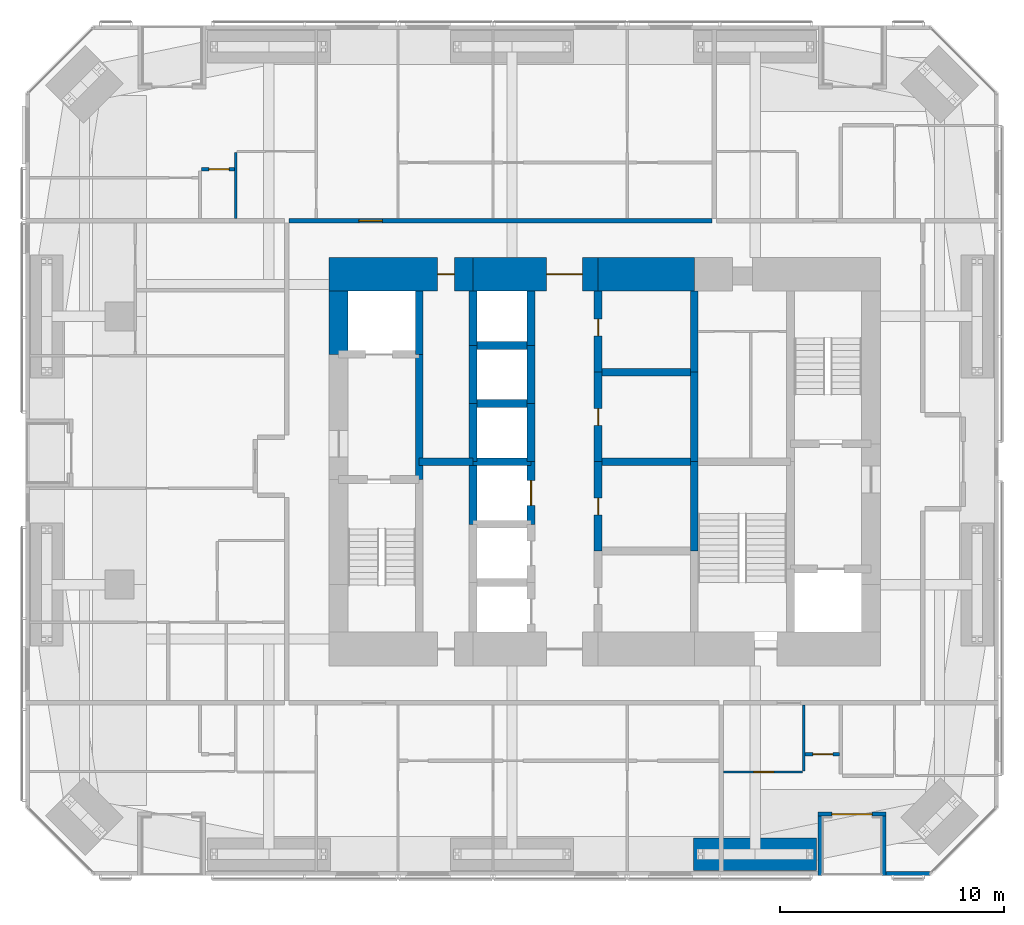
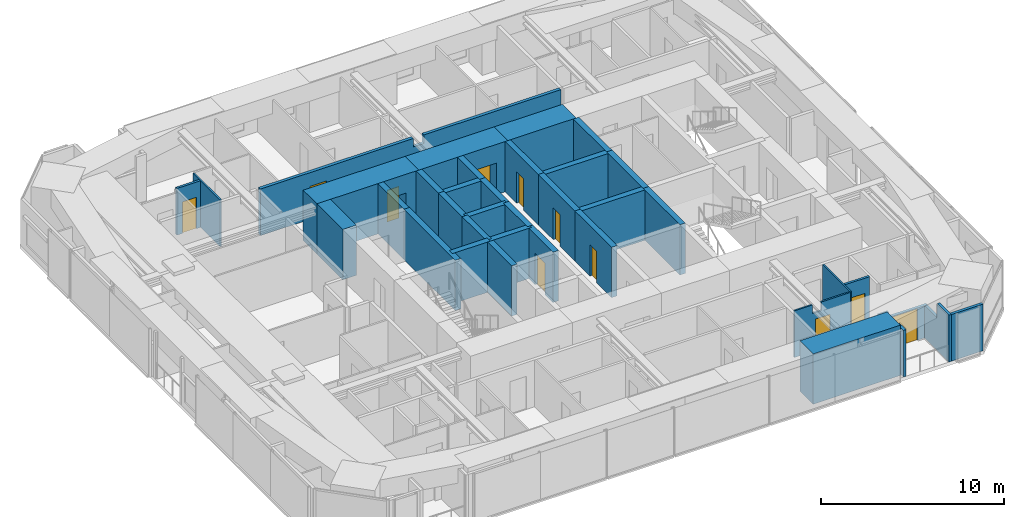
# One storey, part 19 of 23: 38 walls, 11 doors, 11 openings.
"""IFC4 building model written with IfcOpenShell, lengths in metres."""

from ifc_helpers import new_model, si_unit, direction, frame, frame_2d, origin, place, context, subcontext, project, spatial, polyline, rectangle, outline, extrude, material, layer, layer_set, constituent, constituent_set, type_object, element, fill, save


model = new_model("IFC4")

# Units and contexts
model_context = context("Model", 3, precision=1e-05, world=origin(), true_north=direction((0.0, 1.0)))
body_context = subcontext(model_context, "Body", "Model", "MODEL_VIEW")
ifc_project = project(units=[si_unit("LENGTHUNIT", "METRE"), si_unit("AREAUNIT", "SQUARE_METRE"), si_unit("VOLUMEUNIT", "CUBIC_METRE"), si_unit("PLANEANGLEUNIT", "RADIAN"), si_unit("MASSUNIT", "GRAM", prefix="KILO")], contexts=[model_context])

# Site, building, storey
site_placement = place(None, origin())
site = spatial("IfcSite", under=ifc_project, at=site_placement, CompositionType="ELEMENT")
building_placement = place(site_placement, origin())
building = spatial("IfcBuilding", under=site, at=building_placement, Name="Jalousie Tower", CompositionType="ELEMENT")
storey_placement = place(building_placement, frame((0.0, 0.0, 118.25)))
storey = spatial("IfcBuildingStorey", under=building, at=storey_placement, Name="L32", CompositionType="ELEMENT", Elevation=118.25)

# Wall, opening, door
ifc_material_1 = material(Name="Concrete block ASTM C90", Category="concrete")
ifc_constituent_1 = constituent(ifc_material_1, Name="Body")
ifc_material_2 = material(Name="Render")
ifc_constituent_2 = constituent(ifc_material_2, Name="Finish")
ifc_constituent_set_1 = constituent_set(constituents=[ifc_constituent_1, ifc_constituent_2])
wall_type_1 = type_object("IfcWallType", Name="BATHROOM WALL 150", PredefinedType="PLUMBINGWALL", material=ifc_constituent_set_1)
wall_1_placement = place(storey_placement, frame((40.85009765625, 5.425048828125, 0.0), z_axis=(0.0, 0.0, 1.0), x_axis=(1.0, 0.0, 0.0)))
wall_1 = element("IfcWall", 1, at=wall_1_placement, inside=storey, type_object=wall_type_1, Name="Bathroom Wall 150 L32", PredefinedType="PLUMBINGWALL", context=body_context, shape_type="SweptSolid", body=[
    extrude(rectangle(XDim=1.5498046875, YDim=0.14990234375, at=frame_2d((0.77490234375, 0.0))), origin(), (0.0, 0.0, 1.0), 3.110107421875),
])
opening_1_placement = place(wall_1_placement, frame((0.35009765625, 0.0, 0.0)))
opening_1 = element("IfcOpeningElement", 2, at=opening_1_placement, cuts=wall_1, Name="Opening D7", PredefinedType="OPENING", context=body_context, shape_type="SweptSolid", body=[
    extrude(rectangle(XDim=0.89990234375, YDim=2.10009765625, at=frame_2d((0.449951171875, 1.050048828125))), frame((0.0, 0.0849609375, 0.0), z_axis=(0.0, -1.0, 0.0), x_axis=(1.0, 0.0, 0.0)), (0.0, 0.0, 1.0), 0.169921875),
])
ifc_material_3 = material(Name="Timber door", Category="wood")
door_type_1 = type_object("IfcDoorType", Name="INTERNAL DOOR 900", OperationType="SINGLE_SWING_LEFT", PredefinedType="DOOR", material=ifc_material_3)
door_1_placement = place(opening_1_placement, origin())
door_1 = element("IfcDoor", 3, at=door_1_placement, inside=storey, type_object=door_type_1, Name="Apartment 3202 guest WC door", OperationType="SINGLE_SWING_RIGHT", OverallHeight=2.10009765625, OverallWidth=0.89990234375, PredefinedType="DOOR", context=body_context, shape_type="SweptSolid", body=[
    extrude(rectangle(XDim=0.89990234375, YDim=2.10009765625, at=frame_2d((0.449951171875, 1.050048828125))), frame((0.0, 0.02490234375, 0.0), z_axis=(0.0, -1.0, 0.0), x_axis=(1.0, 0.0, 0.0)), (0.0, 0.0, 1.0), 0.050048828125),
])
fill(opening_1, door_1)

wall_2_placement = place(storey_placement, frame((13.875, 31.574951171875, 0.0), z_axis=(0.0, 0.0, 1.0), x_axis=(1.0, 0.0, 0.0)))
wall_2 = element("IfcWall", 4, at=wall_2_placement, inside=storey, type_object=wall_type_1, Name="Bathroom Wall 150 L32", PredefinedType="PLUMBINGWALL", context=body_context, shape_type="SweptSolid", body=[
    extrude(rectangle(XDim=1.47509765625, YDim=0.14990234375, at=frame_2d((0.737548828125, 0.0))), origin(), (0.0, 0.0, 1.0), 3.110107421875),
])
opening_2_placement = place(wall_2_placement, frame((0.324951171875, 0.0, 0.0)))
opening_2 = element("IfcOpeningElement", 5, at=opening_2_placement, cuts=wall_2, Name="Opening D7", PredefinedType="OPENING", context=body_context, shape_type="SweptSolid", body=[
    extrude(rectangle(XDim=0.89990234375, YDim=2.10009765625, at=frame_2d((0.449951171875, 1.050048828125))), frame((0.0, 0.0849609375, 0.0), z_axis=(0.0, -1.0, 0.0), x_axis=(1.0, 0.0, 0.0)), (0.0, 0.0, 1.0), 0.169921875),
])
door_2_placement = place(opening_2_placement, frame((0.89990234375, 0.0, 0.0), z_axis=(0.0, 0.0, 1.0), x_axis=(-1.0, 0.0, 0.0)))
door_2 = element("IfcDoor", 6, at=door_2_placement, inside=storey, type_object=door_type_1, Name="Apartment 3203 guest WC door", OperationType="SINGLE_SWING_LEFT", OverallHeight=2.10009765625, OverallWidth=0.89990234375, PredefinedType="DOOR", context=body_context, shape_type="SweptSolid", body=[
    extrude(rectangle(XDim=0.89990234375, YDim=2.10009765625, at=frame_2d((0.449951171875, 1.050048828125))), frame((0.0, 0.02490234375, 0.0), z_axis=(0.0, -1.0, 0.0), x_axis=(1.0, 0.0, 0.0)), (0.0, 0.0, 1.0), 0.050048828125),
])
fill(opening_2, door_2)

# Wall
ifc_material_4 = material(Name="Concrete f'c 120 MPa", Category="concrete")
ifc_layer_1 = layer(ifc_material_4, 1.5)
ifc_layer_set_1 = layer_set([ifc_layer_1], Name="Concrete f'c 120 MPa")
wall_type_2 = type_object("IfcWallType", Name="CORE WALL 1500", PredefinedType="SHEAR", material=ifc_layer_set_1)
wall_3_placement = place(storey_placement, frame((35.89990234375, 26.875, 0.0), z_axis=(0.0, 0.0, 1.0), x_axis=(-1.0, 0.0, 0.0)))
element("IfcWall", 7, at=wall_3_placement, inside=storey, type_object=wall_type_2, Name="Core wall NB L32", PredefinedType="SHEAR", context=body_context, shape_type="SweptSolid", body=[
    extrude(rectangle(XDim=4.2998046875, YDim=1.5, at=frame_2d((2.14990234375, 0.0))), origin(), (0.0, 0.0, 1.0), 3.35009765625),
])

# Wall, opening, door
wall_4_placement = place(storey_placement, frame((31.60009765625, 26.875, 0.0), z_axis=(0.0, 0.0, 1.0), x_axis=(-1.0, 0.0, 0.0)))
wall_4 = element("IfcWall", 8, at=wall_4_placement, inside=storey, type_object=wall_type_2, Name="Core wall NC L32", PredefinedType="SHEAR", context=body_context, shape_type="SweptSolid", body=[
    extrude(rectangle(XDim=5.60009765625, YDim=1.5, at=frame_2d((2.800048828125, 0.0))), origin(), (0.0, 0.0, 1.0), 3.35009765625),
])
opening_3_placement = place(wall_4_placement, frame((0.699951171875, 0.0, 0.0)))
opening_3 = element("IfcOpeningElement", 9, at=opening_3_placement, cuts=wall_4, Name="Opening D15", PredefinedType="OPENING", context=body_context, shape_type="SweptSolid", body=[
    extrude(rectangle(XDim=1.60009765625, YDim=2.10009765625, at=frame_2d((0.800048828125, 1.050048828125))), frame((0.0, 0.760009765625, 0.0), z_axis=(0.0, -1.0, 0.0), x_axis=(1.0, 0.0, 0.0)), (0.0, 0.0, 1.0), 1.52001953125),
])
ifc_material_5 = material(Name="Steel fire door", Category="steel")
door_type_2 = type_object("IfcDoorType", Name="LIFT LOBBY DOOR 1600", OperationType="DOUBLE_DOOR_SINGLE_SWING", PredefinedType="DOOR", material=ifc_material_5)
door_3_placement = place(opening_3_placement, origin())
door_3 = element("IfcDoor", 10, at=door_3_placement, inside=storey, type_object=door_type_2, Name="Lift lobby north door", OperationType="DOUBLE_DOOR_SINGLE_SWING", OverallHeight=2.10009765625, OverallWidth=1.60009765625, PredefinedType="DOOR", context=body_context, shape_type="SweptSolid", body=[
    extrude(rectangle(XDim=1.60009765625, YDim=2.10009765625, at=frame_2d((0.800048828125, 1.050048828125))), frame((0.0, 0.02490234375, 0.0), z_axis=(0.0, -1.0, 0.0), x_axis=(1.0, 0.0, 0.0)), (0.0, 0.0, 1.0), 0.050048828125),
])
fill(opening_3, door_3)

wall_5_placement = place(storey_placement, frame((26.0, 26.875, 0.0), z_axis=(0.0, 0.0, 1.0), x_axis=(-1.0, 0.0, 0.0)))
wall_5 = element("IfcWall", 11, at=wall_5_placement, inside=storey, type_object=wall_type_2, Name="Core wall ND L32", PredefinedType="SHEAR", context=body_context, shape_type="SweptSolid", body=[
    extrude(rectangle(XDim=6.425048828125, YDim=1.5, at=frame_2d((3.21240234375, 0.0))), origin(), (0.0, 0.0, 1.0), 3.35009765625),
])
opening_4_placement = place(wall_5_placement, frame((0.824951171875, 0.0, 0.0)))
opening_4 = element("IfcOpeningElement", 12, at=opening_4_placement, cuts=wall_5, Name="Opening D16", PredefinedType="OPENING", context=body_context, shape_type="SweptSolid", body=[
    extrude(rectangle(XDim=0.75, YDim=2.10009765625, at=frame_2d((0.375, 1.050048828125))), frame((0.0, 0.760009765625, 0.0), z_axis=(0.0, -1.0, 0.0), x_axis=(1.0, 0.0, 0.0)), (0.0, 0.0, 1.0), 1.52001953125),
])
ifc_material_6 = material(Name="Steel fire door", Category="steel")
door_type_3 = type_object("IfcDoorType", Name="RISER DOOR 750", OperationType="SINGLE_SWING_LEFT", PredefinedType="DOOR", material=ifc_material_6)
door_4_placement = place(opening_4_placement, origin())
door_4 = element("IfcDoor", 13, at=door_4_placement, inside=storey, type_object=door_type_3, Name="North riser door", OperationType="SINGLE_SWING_RIGHT", OverallHeight=2.10009765625, OverallWidth=0.75, PredefinedType="DOOR", context=body_context, shape_type="SweptSolid", body=[
    extrude(rectangle(XDim=0.75, YDim=2.10009765625, at=frame_2d((0.375, 1.050048828125))), frame((0.0, 0.02490234375, 0.0), z_axis=(0.0, -1.0, 0.0), x_axis=(1.0, 0.0, 0.0)), (0.0, 0.0, 1.0), 0.050048828125),
])
fill(opening_4, door_4)

# Walls
ifc_material_7 = material(Name="Concrete f'c 120 MPa", Category="concrete")
ifc_layer_2 = layer(ifc_material_7, 0.35009765625)
ifc_layer_set_2 = layer_set([ifc_layer_2], Name="Concrete f'c 120 MPa")
wall_type_3 = type_object("IfcWallType", Name="CORE WALL 350", PredefinedType="SHEAR", material=ifc_layer_set_2)
wall_6_placement = place(storey_placement, frame((23.60009765625, 17.699951171875, 0.0), z_axis=(0.0, 0.0, 1.0), x_axis=(0.0, 1.0, 0.0)))
element("IfcWall", 14, at=wall_6_placement, inside=storey, type_object=wall_type_3, Name="Core wall X23.6B L32", PredefinedType="SHEAR", context=body_context, shape_type="SweptSolid", body=[
    extrude(rectangle(XDim=5.60009765625, YDim=0.35009765625, at=frame_2d((2.800048828125, 0.0))), origin(), (0.0, 0.0, 1.0), 3.35009765625),
])
wall_7_placement = place(storey_placement, frame((23.60009765625, 23.300048828125, 0.0), z_axis=(0.0, 0.0, 1.0), x_axis=(0.0, 1.0, 0.0)))
element("IfcWall", 15, at=wall_7_placement, inside=storey, type_object=wall_type_3, Name="Core wall X23.6C L32", PredefinedType="SHEAR", context=body_context, shape_type="SweptSolid", body=[
    extrude(rectangle(XDim=2.824951171875, YDim=0.35009765625, at=frame_2d((1.41259765625, 0.0))), origin(), (0.0, 0.0, 1.0), 3.35009765625),
])
wall_8_placement = place(storey_placement, frame((26.0, 15.699951171875, 0.0), z_axis=(0.0, 0.0, 1.0), x_axis=(0.0, 1.0, 0.0)))
element("IfcWall", 16, at=wall_8_placement, inside=storey, type_object=wall_type_3, Name="Core wall X26C L32", PredefinedType="SHEAR", context=body_context, shape_type="SweptSolid", body=[
    extrude(rectangle(XDim=2.800048828125, YDim=0.35009765625, at=frame_2d((1.39990234375, 0.0))), origin(), (0.0, 0.0, 1.0), 3.35009765625),
])
wall_9_placement = place(storey_placement, frame((26.0, 18.5, 0.0), z_axis=(0.0, 0.0, 1.0), x_axis=(0.0, 1.0, 0.0)))
element("IfcWall", 17, at=wall_9_placement, inside=storey, type_object=wall_type_3, Name="Core wall X26D L32", PredefinedType="SHEAR", context=body_context, shape_type="SweptSolid", body=[
    extrude(rectangle(XDim=2.60009765625, YDim=0.35009765625, at=frame_2d((1.300048828125, 0.0))), origin(), (0.0, 0.0, 1.0), 3.35009765625),
])
wall_10_placement = place(storey_placement, frame((26.0, 21.10009765625, 0.0), z_axis=(0.0, 0.0, 1.0), x_axis=(0.0, 1.0, 0.0)))
element("IfcWall", 18, at=wall_10_placement, inside=storey, type_object=wall_type_3, Name="Core wall X26E L32", PredefinedType="SHEAR", context=body_context, shape_type="SweptSolid", body=[
    extrude(rectangle(XDim=2.599853515625, YDim=0.35009765625, at=frame_2d((1.2998046875, 0.0))), origin(), (0.0, 0.0, 1.0), 3.35009765625),
])
wall_11_placement = place(storey_placement, frame((26.0, 23.699951171875, 0.0), z_axis=(0.0, 0.0, 1.0), x_axis=(0.0, 1.0, 0.0)))
element("IfcWall", 19, at=wall_11_placement, inside=storey, type_object=wall_type_3, Name="Core wall X26F L32", PredefinedType="SHEAR", context=body_context, shape_type="SweptSolid", body=[
    extrude(rectangle(XDim=2.425048828125, YDim=0.35009765625, at=frame_2d((1.21240234375, 0.0))), origin(), (0.0, 0.0, 1.0), 3.35009765625),
])

# Wall, opening, door
wall_12_placement = place(storey_placement, frame((28.60009765625, 15.699951171875, 0.0), z_axis=(0.0, 0.0, 1.0), x_axis=(0.0, 1.0, 0.0)))
wall_12 = element("IfcWall", 20, at=wall_12_placement, inside=storey, type_object=wall_type_3, Name="Core wall X28.6C L32", PredefinedType="SHEAR", context=body_context, shape_type="SweptSolid", body=[
    extrude(rectangle(XDim=2.800048828125, YDim=0.35009765625, at=frame_2d((1.39990234375, 0.0))), origin(), (0.0, 0.0, 1.0), 3.35009765625),
])
opening_5_placement = place(wall_12_placement, frame((0.85009765625, 0.0, 0.0)))
opening_5 = element("IfcOpeningElement", 21, at=opening_5_placement, cuts=wall_12, Name="Opening LD1", PredefinedType="OPENING", context=body_context, shape_type="SweptSolid", body=[
    extrude(rectangle(XDim=1.10009765625, YDim=2.10009765625, at=frame_2d((0.550048828125, 1.050048828125))), frame((0.0, 0.18505859375, 0.0), z_axis=(0.0, -1.0, 0.0), x_axis=(1.0, 0.0, 0.0)), (0.0, 0.0, 1.0), 0.3701171875),
])
ifc_material_8 = material(Name="Steel lift landing door", Category="steel")
door_type_4 = type_object("IfcDoorType", Name="LIFT LANDING DOOR 1100", OperationType="SLIDING_TO_LEFT", PredefinedType="DOOR", material=ifc_material_8)
door_5_placement = place(opening_5_placement, origin())
door_5 = element("IfcDoor", 22, at=door_5_placement, inside=storey, type_object=door_type_4, Name="Lift P3 landing door", OperationType="SLIDING_TO_LEFT", OverallHeight=2.10009765625, OverallWidth=1.10009765625, PredefinedType="DOOR", context=body_context, shape_type="SweptSolid", body=[
    extrude(rectangle(XDim=1.10009765625, YDim=2.10009765625, at=frame_2d((0.550048828125, 1.050048828125))), frame((0.0, 0.02490234375, 0.0), z_axis=(0.0, -1.0, 0.0), x_axis=(1.0, 0.0, 0.0)), (0.0, 0.0, 1.0), 0.050048828125),
])
fill(opening_5, door_5)

# Walls
wall_13_placement = place(storey_placement, frame((28.60009765625, 18.5, 0.0), z_axis=(0.0, 0.0, 1.0), x_axis=(0.0, 1.0, 0.0)))
element("IfcWall", 23, at=wall_13_placement, inside=storey, type_object=wall_type_3, Name="Core wall X28.6D L32", PredefinedType="SHEAR", context=body_context, shape_type="SweptSolid", body=[
    extrude(rectangle(XDim=2.60009765625, YDim=0.35009765625, at=frame_2d((1.300048828125, 0.0))), origin(), (0.0, 0.0, 1.0), 3.35009765625),
])
wall_14_placement = place(storey_placement, frame((28.60009765625, 21.10009765625, 0.0), z_axis=(0.0, 0.0, 1.0), x_axis=(0.0, 1.0, 0.0)))
element("IfcWall", 24, at=wall_14_placement, inside=storey, type_object=wall_type_3, Name="Core wall X28.6E L32", PredefinedType="SHEAR", context=body_context, shape_type="SweptSolid", body=[
    extrude(rectangle(XDim=2.599853515625, YDim=0.35009765625, at=frame_2d((1.2998046875, 0.0))), origin(), (0.0, 0.0, 1.0), 3.35009765625),
])
wall_15_placement = place(storey_placement, frame((28.60009765625, 23.699951171875, 0.0), z_axis=(0.0, 0.0, 1.0), x_axis=(0.0, 1.0, 0.0)))
element("IfcWall", 25, at=wall_15_placement, inside=storey, type_object=wall_type_3, Name="Core wall X28.6F L32", PredefinedType="SHEAR", context=body_context, shape_type="SweptSolid", body=[
    extrude(rectangle(XDim=2.425048828125, YDim=0.35009765625, at=frame_2d((1.21240234375, 0.0))), origin(), (0.0, 0.0, 1.0), 3.35009765625),
])

# Wall, opening, door
wall_16_placement = place(storey_placement, frame((31.60009765625, 14.5, 0.0), z_axis=(0.0, 0.0, 1.0), x_axis=(0.0, 1.0, 0.0)))
wall_16 = element("IfcWall", 26, at=wall_16_placement, inside=storey, type_object=wall_type_3, Name="Core wall X31.6B L32", PredefinedType="SHEAR", context=body_context, shape_type="SweptSolid", body=[
    extrude(rectangle(XDim=4.0, YDim=0.35009765625, at=frame_2d((2.0, 0.0))), origin(), (0.0, 0.0, 1.0), 3.35009765625),
])
opening_6_placement = place(wall_16_placement, frame((1.625, 0.0, 0.0)))
opening_6 = element("IfcOpeningElement", 27, at=opening_6_placement, cuts=wall_16, Name="Opening D16", PredefinedType="OPENING", context=body_context, shape_type="SweptSolid", body=[
    extrude(rectangle(XDim=0.75, YDim=2.10009765625, at=frame_2d((0.375, 1.050048828125))), frame((0.0, 0.18505859375, 0.0), z_axis=(0.0, -1.0, 0.0), x_axis=(1.0, 0.0, 0.0)), (0.0, 0.0, 1.0), 0.3701171875),
])
door_6_placement = place(opening_6_placement, frame((0.75, 0.0, 0.0), z_axis=(0.0, 0.0, 1.0), x_axis=(-1.0, 0.0, 0.0)))
door_6 = element("IfcDoor", 28, at=door_6_placement, inside=storey, type_object=door_type_3, Name="Electrical Room door", OperationType="SINGLE_SWING_RIGHT", OverallHeight=2.10009765625, OverallWidth=0.75, PredefinedType="DOOR", context=body_context, shape_type="SweptSolid", body=[
    extrude(rectangle(XDim=0.75, YDim=2.10009765625, at=frame_2d((0.375, 1.050048828125))), frame((0.0, 0.02490234375, 0.0), z_axis=(0.0, -1.0, 0.0), x_axis=(1.0, 0.0, 0.0)), (0.0, 0.0, 1.0), 0.050048828125),
])
fill(opening_6, door_6)

wall_17_placement = place(storey_placement, frame((31.60009765625, 18.5, 0.0), z_axis=(0.0, 0.0, 1.0), x_axis=(0.0, 1.0, 0.0)))
wall_17 = element("IfcWall", 29, at=wall_17_placement, inside=storey, type_object=wall_type_3, Name="Core wall X31.6C L32", PredefinedType="SHEAR", context=body_context, shape_type="SweptSolid", body=[
    extrude(rectangle(XDim=4.0, YDim=0.35009765625, at=frame_2d((2.0, 0.0))), origin(), (0.0, 0.0, 1.0), 3.35009765625),
])
opening_7_placement = place(wall_17_placement, frame((1.625, 0.0, 0.0)))
opening_7 = element("IfcOpeningElement", 30, at=opening_7_placement, cuts=wall_17, Name="Opening D16", PredefinedType="OPENING", context=body_context, shape_type="SweptSolid", body=[
    extrude(rectangle(XDim=0.75, YDim=2.10009765625, at=frame_2d((0.375, 1.050048828125))), frame((0.0, 0.18505859375, 0.0), z_axis=(0.0, -1.0, 0.0), x_axis=(1.0, 0.0, 0.0)), (0.0, 0.0, 1.0), 0.3701171875),
])
door_7_placement = place(opening_7_placement, frame((0.75, 0.0, 0.0), z_axis=(0.0, 0.0, 1.0), x_axis=(-1.0, 0.0, 0.0)))
door_7 = element("IfcDoor", 31, at=door_7_placement, inside=storey, type_object=door_type_3, Name="Telecom Room door", OperationType="SINGLE_SWING_RIGHT", OverallHeight=2.10009765625, OverallWidth=0.75, PredefinedType="DOOR", context=body_context, shape_type="SweptSolid", body=[
    extrude(rectangle(XDim=0.75, YDim=2.10009765625, at=frame_2d((0.375, 1.050048828125))), frame((0.0, 0.02490234375, 0.0), z_axis=(0.0, -1.0, 0.0), x_axis=(1.0, 0.0, 0.0)), (0.0, 0.0, 1.0), 0.050048828125),
])
fill(opening_7, door_7)

wall_18_placement = place(storey_placement, frame((31.60009765625, 22.5, 0.0), z_axis=(0.0, 0.0, 1.0), x_axis=(0.0, 1.0, 0.0)))
wall_18 = element("IfcWall", 32, at=wall_18_placement, inside=storey, type_object=wall_type_3, Name="Core wall X31.6D L32", PredefinedType="SHEAR", context=body_context, shape_type="SweptSolid", body=[
    extrude(rectangle(XDim=3.625, YDim=0.35009765625, at=frame_2d((1.8125, 0.0))), origin(), (0.0, 0.0, 1.0), 3.35009765625),
])
opening_8_placement = place(wall_18_placement, frame((1.625, 0.0, 0.0)))
opening_8 = element("IfcOpeningElement", 33, at=opening_8_placement, cuts=wall_18, Name="Opening D16", PredefinedType="OPENING", context=body_context, shape_type="SweptSolid", body=[
    extrude(rectangle(XDim=0.75, YDim=2.10009765625, at=frame_2d((0.375, 1.050048828125))), frame((0.0, 0.18505859375, 0.0), z_axis=(0.0, -1.0, 0.0), x_axis=(1.0, 0.0, 0.0)), (0.0, 0.0, 1.0), 0.3701171875),
])
door_8_placement = place(opening_8_placement, frame((0.75, 0.0, 0.0), z_axis=(0.0, 0.0, 1.0), x_axis=(-1.0, 0.0, 0.0)))
door_8 = element("IfcDoor", 34, at=door_8_placement, inside=storey, type_object=door_type_3, Name="Water Services Room door", OperationType="SINGLE_SWING_LEFT", OverallHeight=2.10009765625, OverallWidth=0.75, PredefinedType="DOOR", context=body_context, shape_type="SweptSolid", body=[
    extrude(rectangle(XDim=0.75, YDim=2.10009765625, at=frame_2d((0.375, 1.050048828125))), frame((0.0, 0.02490234375, 0.0), z_axis=(0.0, -1.0, 0.0), x_axis=(1.0, 0.0, 0.0)), (0.0, 0.0, 1.0), 0.050048828125),
])
fill(opening_8, door_8)

# Walls
for number, where, z_axis, x_axis, name in (
    (35, (35.89990234375, 14.5, 0.0), (0.0, 0.0, 1.0), (0.0, 1.0, 0.0), "Core wall X35.9B L32"),
    (36, (35.89990234375, 18.5, 0.0), (0.0, 0.0, 1.0), (0.0, 1.0, 0.0), "Core wall X35.9C L32"),
):
    element("IfcWall", number, at=place(storey_placement, frame(where, z_axis=z_axis, x_axis=x_axis)), inside=storey, type_object=wall_type_3, Name=name, PredefinedType="SHEAR", context=body_context, shape_type="SweptSolid", body=[
        extrude(rectangle(XDim=4.0, YDim=0.35009765625, at=frame_2d((2.0, 0.0))), origin(), (0.0, 0.0, 1.0), 3.35009765625),
    ])
wall_19_placement = place(storey_placement, frame((35.89990234375, 22.5, 0.0), z_axis=(0.0, 0.0, 1.0), x_axis=(0.0, 1.0, 0.0)))
element("IfcWall", 37, at=wall_19_placement, inside=storey, type_object=wall_type_3, Name="Core wall X35.9D L32", PredefinedType="SHEAR", context=body_context, shape_type="SweptSolid", body=[
    extrude(rectangle(XDim=3.625, YDim=0.35009765625, at=frame_2d((1.8125, 0.0))), origin(), (0.0, 0.0, 1.0), 3.35009765625),
])
wall_20_placement = place(storey_placement, frame((23.60009765625, 18.5, 0.0), z_axis=(0.0, 0.0, 1.0), x_axis=(1.0, 0.0, 0.0)))
element("IfcWall", 38, at=wall_20_placement, inside=storey, type_object=wall_type_3, Name="Core wall Y23.6-18.5 L32", PredefinedType="SHEAR", context=body_context, shape_type="SweptSolid", body=[
    extrude(rectangle(XDim=2.39990234375, YDim=0.35009765625, at=frame_2d((1.199951171875, 0.0))), origin(), (0.0, 0.0, 1.0), 3.35009765625),
])
for number, where, z_axis, x_axis, name in (
    (39, (26.0, 18.5, 0.0), (0.0, 0.0, 1.0), (1.0, 0.0, 0.0), "Core wall Y26-18.5 L32"),
    (40, (26.0, 21.10009765625, 0.0), (0.0, 0.0, 1.0), (1.0, 0.0, 0.0), "Core wall Y26-21.1 L32"),
    (41, (26.0, 23.699951171875, 0.0), (0.0, 0.0, 1.0), (1.0, 0.0, 0.0), "Core wall Y26-23.7 L32"),
):
    element("IfcWall", number, at=place(storey_placement, frame(where, z_axis=z_axis, x_axis=x_axis)), inside=storey, type_object=wall_type_3, Name=name, PredefinedType="SHEAR", context=body_context, shape_type="SweptSolid", body=[
        extrude(rectangle(XDim=2.60009765625, YDim=0.35009765625, at=frame_2d((1.300048828125, 0.0))), origin(), (0.0, 0.0, 1.0), 3.35009765625),
    ])
for number, where, z_axis, x_axis, name in (
    (42, (31.60009765625, 18.5, 0.0), (0.0, 0.0, 1.0), (1.0, 0.0, 0.0), "Core wall Y31.6-18.5 L32"),
    (43, (31.60009765625, 22.5, 0.0), (0.0, 0.0, 1.0), (1.0, 0.0, 0.0), "Core wall Y31.6-22.5 L32"),
):
    element("IfcWall", number, at=place(storey_placement, frame(where, z_axis=z_axis, x_axis=x_axis)), inside=storey, type_object=wall_type_3, Name=name, PredefinedType="SHEAR", context=body_context, shape_type="SweptSolid", body=[
        extrude(rectangle(XDim=4.2998046875, YDim=0.35009765625, at=frame_2d((2.14990234375, 0.0))), origin(), (0.0, 0.0, 1.0), 3.35009765625),
    ])
ifc_material_9 = material(Name="Concrete f'c 120 MPa", Category="concrete")
ifc_layer_3 = layer(ifc_material_9, 0.85009765625)
ifc_layer_set_3 = layer_set([ifc_layer_3], Name="Concrete f'c 120 MPa")
wall_type_4 = type_object("IfcWallType", Name="CORE WALL 850", PredefinedType="SHEAR", material=ifc_layer_set_3)
wall_21_placement = place(storey_placement, frame((20.0, 26.125, 0.0), z_axis=(0.0, 0.0, 1.0), x_axis=(0.0, -1.0, 0.0)))
element("IfcWall", 44, at=wall_21_placement, inside=storey, type_object=wall_type_4, Name="Core wall WA L32", PredefinedType="SHEAR", context=body_context, shape_type="SweptSolid", body=[
    extrude(rectangle(XDim=2.824951171875, YDim=0.85009765625, at=frame_2d((1.41259765625, 0.0))), origin(), (0.0, 0.0, 1.0), 3.35009765625),
])

# Wall, opening, door
ifc_material_10 = material(Name="Concrete block ASTM C90", Category="concrete")
ifc_constituent_3 = constituent(ifc_material_10, Name="Body")
ifc_material_11 = material(Name="Render")
ifc_constituent_4 = constituent(ifc_material_11, Name="Finish")
ifc_constituent_set_2 = constituent_set(constituents=[ifc_constituent_3, ifc_constituent_4])
wall_type_5 = type_object("IfcWallType", Name="CORRIDOR WALL 200", PredefinedType="PARTITIONING", material=ifc_constituent_set_2)
wall_22_placement = place(storey_placement, frame((17.77490234375, 29.27490234375, 0.0), z_axis=(0.0, 0.0, 1.0), x_axis=(1.0, 0.0, 0.0)))
wall_22 = element("IfcWall", 45, at=wall_22_placement, inside=storey, type_object=wall_type_5, Name="Corridor Wall 200 L32", PredefinedType="PARTITIONING", context=body_context, shape_type="SweptSolid", body=[
    extrude(outline(polyline([(0.0, 0.0), (18.925048828125, 0.0), (18.925048828125, 3.110107421875), (10.312255859375, 3.110107421875), (10.312255859375, 2.541015625), (9.6376953125, 2.541015625), (9.6376953125, 3.110107421875), (0.0, 3.110107421875), (0.0, 0.0)])), frame((0.0, 0.10009765625, 0.0), z_axis=(0.0, -1.0, 0.0), x_axis=(1.0, 0.0, 0.0)), (0.0, 0.0, 1.0), 0.199951171875),
])
opening_9_placement = place(wall_22_placement, frame((3.125, 0.0, 0.0)))
opening_9 = element("IfcOpeningElement", 46, at=opening_9_placement, cuts=wall_22, Name="Opening D1", PredefinedType="OPENING", context=body_context, shape_type="SweptSolid", body=[
    extrude(rectangle(XDim=1.050048828125, YDim=2.199951171875, at=frame_2d((0.52490234375, 1.10009765625))), frame((0.0, 0.10986328125, 0.0), z_axis=(0.0, -1.0, 0.0), x_axis=(1.0, 0.0, 0.0)), (0.0, 0.0, 1.0), 0.219970703125),
])
ifc_material_12 = material(Name="Timber fire door", Category="wood")
door_type_5 = type_object("IfcDoorType", Name="APARTMENT ENTRANCE DOOR 1050", OperationType="SINGLE_SWING_LEFT", PredefinedType="DOOR", material=ifc_material_12)
door_9_placement = place(opening_9_placement, origin())
door_9 = element("IfcDoor", 47, at=door_9_placement, inside=storey, type_object=door_type_5, Name="Apartment 3203 entrance", OperationType="SINGLE_SWING_RIGHT", OverallHeight=2.199951171875, OverallWidth=1.050048828125, PredefinedType="DOOR", context=body_context, shape_type="SweptSolid", body=[
    extrude(rectangle(XDim=1.050048828125, YDim=2.199951171875, at=frame_2d((0.52490234375, 1.10009765625))), frame((0.0, 0.02490234375, 0.0), z_axis=(0.0, -1.0, 0.0), x_axis=(1.0, 0.0, 0.0)), (0.0, 0.0, 1.0), 0.050048828125),
])
fill(opening_9, door_9)

# Walls
ifc_material_13 = material(Name="Concrete f'c 40 MPa", Category="concrete")
ifc_constituent_5 = constituent(ifc_material_13, Name="Body")
ifc_material_14 = material(Name="Render, pastel sea green")
ifc_constituent_6 = constituent(ifc_material_14, Name="Finish")
ifc_constituent_set_3 = constituent_set(constituents=[ifc_constituent_5, ifc_constituent_6])
wall_type_6 = type_object("IfcWallType", Name="EXTERNAL WALL 175 SEA GREEN RENDER", PredefinedType="SOLIDWALL", material=ifc_constituent_set_3)
wall_23_placement = place(storey_placement, frame((44.47509765625, 0.08740234375, 0.0), z_axis=(0.0, 0.0, 1.0), x_axis=(1.0, 0.0, 0.0)))
element("IfcWall", 48, at=wall_23_placement, inside=storey, type_object=wall_type_6, Name="External Wall 175 Sea Green Render L32", PredefinedType="SOLIDWALL", context=body_context, shape_type="SweptSolid", body=[
    extrude(rectangle(XDim=1.9736328125, YDim=0.175048828125, at=frame_2d((0.98681640625, 0.0))), origin(), (0.0, 0.0, 1.0), 3.110107421875),
])
wall_24_placement = place(storey_placement, frame((41.425048828125, 2.737548828125, 0.0), z_axis=(0.0, 0.0, 1.0), x_axis=(1.0, 0.0, 0.0)))
element("IfcWall", 49, at=wall_24_placement, inside=storey, type_object=wall_type_6, Name="External Wall 175 Sea Green Render L32-A", PredefinedType="SOLIDWALL", context=body_context, shape_type="SweptSolid", body=[
    extrude(rectangle(XDim=0.625, YDim=0.175048828125, at=frame_2d((0.3125, 0.0))), origin(), (0.0, 0.0, 1.0), 2.510009765625),
])

# Wall, opening, door
wall_25_placement = place(storey_placement, frame((42.050048828125, 2.737548828125, 0.0), z_axis=(0.0, 0.0, 1.0), x_axis=(1.0, 0.0, 0.0)))
wall_25 = element("IfcWall", 50, at=wall_25_placement, inside=storey, type_object=wall_type_6, Name="External Wall 175 Sea Green Render L32-B", PredefinedType="SOLIDWALL", context=body_context, shape_type="SweptSolid", body=[
    extrude(rectangle(XDim=2.425048828125, YDim=0.175048828125, at=frame_2d((1.21240234375, 0.0))), origin(), (0.0, 0.0, 1.0), 2.14990234375),
])
opening_10_placement = place(wall_25_placement, origin())
opening_10 = element("IfcOpeningElement", 51, at=opening_10_placement, cuts=wall_25, Name="Opening D-BAL21", PredefinedType="OPENING", context=body_context, shape_type="SweptSolid", body=[
    extrude(rectangle(XDim=1.800048828125, YDim=2.10009765625, at=frame_2d((0.89990234375, 1.050048828125))), frame((0.0, 0.097412109375, 0.0), z_axis=(0.0, -1.0, 0.0), x_axis=(1.0, 0.0, 0.0)), (0.0, 0.0, 1.0), 0.195068359375),
])
ifc_material_15 = material(Name="Aluminium frame, impact-rated glazing", Category="aluminium")
door_type_6 = type_object("IfcDoorType", Name="BALCONY DOOR 1800x2100", OperationType="SLIDING_TO_LEFT", PredefinedType="DOOR", material=ifc_material_15)
door_10_placement = place(opening_10_placement, origin())
door_10 = element("IfcDoor", 52, at=door_10_placement, inside=storey, type_object=door_type_6, Name="Apartment 3202 living and dining room loggia door", OperationType="SLIDING_TO_LEFT", OverallHeight=2.10009765625, OverallWidth=1.800048828125, PredefinedType="DOOR", context=body_context, shape_type="SweptSolid", body=[
    extrude(rectangle(XDim=1.800048828125, YDim=2.10009765625, at=frame_2d((0.89990234375, 1.050048828125))), frame((0.0, 0.02490234375, 0.0), z_axis=(0.0, -1.0, 0.0), x_axis=(1.0, 0.0, 0.0)), (0.0, 0.0, 1.0), 0.050048828125),
])
fill(opening_10, door_10)

# Walls
wall_26_placement = place(storey_placement, frame((41.512451171875, 0.0, 0.0), z_axis=(0.0, 0.0, 1.0), x_axis=(0.0, 1.0, 0.0)))
element("IfcWall", 53, at=wall_26_placement, inside=storey, type_object=wall_type_6, Name="External Wall 175 Sea Green Render L32", PredefinedType="SOLIDWALL", context=body_context, shape_type="SweptSolid", body=[
    extrude(outline(polyline([(0.0, 0.0), (2.64990234375, 0.0), (2.64990234375, 2.510009765625), (2.373291015625, 2.510009765625), (2.373291015625, 2.14990234375), (0.70458984375, 2.14990234375), (0.70458984375, 3.110107421875), (0.0, 3.110107421875), (0.0, 0.0)])), frame((0.0, 0.08740234375, 0.0), z_axis=(0.0, -1.0, 0.0), x_axis=(1.0, 0.0, 0.0)), (0.0, 0.0, 1.0), 0.175048828125),
])
wall_27_placement = place(storey_placement, frame((44.387451171875, 0.0, 0.0), z_axis=(0.0, 0.0, 1.0), x_axis=(0.0, 1.0, 0.0)))
element("IfcWall", 54, at=wall_27_placement, inside=storey, type_object=wall_type_6, Name="External Wall 175 Sea Green Render L32", PredefinedType="SOLIDWALL", context=body_context, shape_type="SweptSolid", body=[
    extrude(outline(polyline([(0.0, 0.0), (2.64990234375, 0.0), (2.64990234375, 2.14990234375), (1.291015625, 2.14990234375), (1.291015625, 3.110107421875), (0.0, 3.110107421875), (0.0, 0.0)])), frame((0.0, 0.08740234375, 0.0), z_axis=(0.0, -1.0, 0.0), x_axis=(1.0, 0.0, 0.0)), (0.0, 0.0, 1.0), 0.175048828125),
])

# Wall, opening, door
ifc_material_16 = material(Name="Gypsum board", Category="gypsum")
ifc_constituent_7 = constituent(ifc_material_16, Name="Body")
ifc_material_17 = material(Name="Light-gauge steel studs ASTM A653 SS Grade 33", Category="steel")
ifc_constituent_8 = constituent(ifc_material_17, Name="Framing")
ifc_constituent_set_4 = constituent_set(constituents=[ifc_constituent_7, ifc_constituent_8])
wall_type_7 = type_object("IfcWallType", Name="PARTITION 100", PredefinedType="PARTITIONING", material=ifc_constituent_set_4)
wall_28_placement = place(storey_placement, frame((37.199951171875, 4.625, 0.0), z_axis=(0.0, 0.0, 1.0), x_axis=(1.0, 0.0, 0.0)))
wall_28 = element("IfcWall", 55, at=wall_28_placement, inside=storey, type_object=wall_type_7, Name="Partition 100 L32", PredefinedType="PARTITIONING", context=body_context, shape_type="SweptSolid", body=[
    extrude(outline(polyline([(0.0, 0.0), (3.550048828125, 0.0), (3.550048828125, 3.110107421875), (1.71240234375, 3.110107421875), (1.71240234375, 2.541015625), (1.1376953125, 2.541015625), (1.1376953125, 3.110107421875), (0.0, 3.110107421875), (0.0, 0.0)])), frame((0.0, 0.050048828125, 0.0), z_axis=(0.0, -1.0, 0.0), x_axis=(1.0, 0.0, 0.0)), (0.0, 0.0, 1.0), 0.10009765625),
])
opening_11_placement = place(wall_28_placement, frame((1.35009765625, 0.0, 0.0)))
opening_11 = element("IfcOpeningElement", 56, at=opening_11_placement, cuts=wall_28, Name="Opening D7", PredefinedType="OPENING", context=body_context, shape_type="SweptSolid", body=[
    extrude(rectangle(XDim=0.89990234375, YDim=2.10009765625, at=frame_2d((0.449951171875, 1.050048828125))), frame((0.0, 0.06005859375, 0.0), z_axis=(0.0, -1.0, 0.0), x_axis=(1.0, 0.0, 0.0)), (0.0, 0.0, 1.0), 0.1201171875),
])
door_11_placement = place(opening_11_placement, frame((0.89990234375, 0.0, 0.0), z_axis=(0.0, 0.0, 1.0), x_axis=(-1.0, 0.0, 0.0)))
door_11 = element("IfcDoor", 57, at=door_11_placement, inside=storey, type_object=door_type_1, Name="Apartment 3202 kitchen door", OperationType="SINGLE_SWING_RIGHT", OverallHeight=2.10009765625, OverallWidth=0.89990234375, PredefinedType="DOOR", context=body_context, shape_type="SweptSolid", body=[
    extrude(rectangle(XDim=0.89990234375, YDim=2.10009765625, at=frame_2d((0.449951171875, 1.050048828125))), frame((0.0, 0.02490234375, 0.0), z_axis=(0.0, -1.0, 0.0), x_axis=(1.0, 0.0, 0.0)), (0.0, 0.0, 1.0), 0.050048828125),
])
fill(opening_11, door_11)

# Walls
for number, where, z_axis, x_axis, name in (
    (58, (40.800048828125, 4.675048828125, 0.0), (0.0, 0.0, 1.0), (0.0, 1.0, 0.0), "Partition 100 L32"),
    (59, (15.39990234375, 32.324951171875, 0.0), (0.0, 0.0, 1.0), (0.0, -1.0, 0.0), "Partition 100 L32"),
):
    element("IfcWall", number, at=place(storey_placement, frame(where, z_axis=z_axis, x_axis=x_axis)), inside=storey, type_object=wall_type_7, Name=name, PredefinedType="PARTITIONING", context=body_context, shape_type="SweptSolid", body=[
        extrude(rectangle(XDim=2.949951171875, YDim=0.10009765625, at=frame_2d((1.47509765625, 0.0))), origin(), (0.0, 0.0, 1.0), 3.110107421875),
    ])
ifc_material_18 = material(Name="Concrete f'c 120 MPa", Category="concrete")
ifc_layer_4 = layer(ifc_material_18, 1.449951171875)
ifc_layer_set_4 = layer_set([ifc_layer_4], Name="Concrete f'c 120 MPa")
wall_type_8 = type_object("IfcWallType", Name="RC WALL PIER 1450", PredefinedType="SHEAR", material=ifc_layer_set_4)
wall_29_placement = place(storey_placement, frame((35.875, 0.949951171875, 0.0), z_axis=(0.0, 0.0, 1.0), x_axis=(1.0, 0.0, 0.0)))
element("IfcWall", 60, at=wall_29_placement, inside=storey, type_object=wall_type_8, Name="Wall pier 04 L32", PredefinedType="SHEAR", context=body_context, shape_type="SweptSolid", body=[
    extrude(rectangle(XDim=5.5, YDim=1.449951171875, at=frame_2d((2.75, 0.0))), origin(), (0.0, 0.0, 1.0), 3.35009765625),
])

save(model, "model.ifc")
